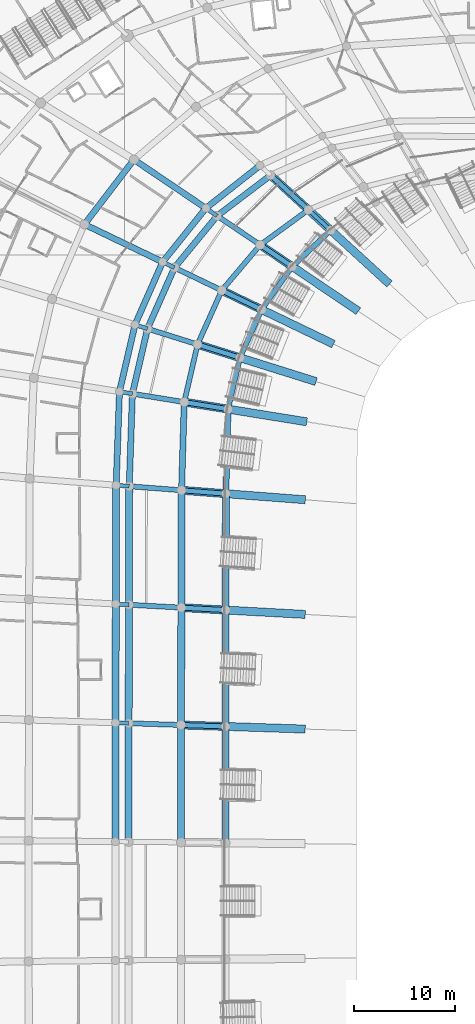
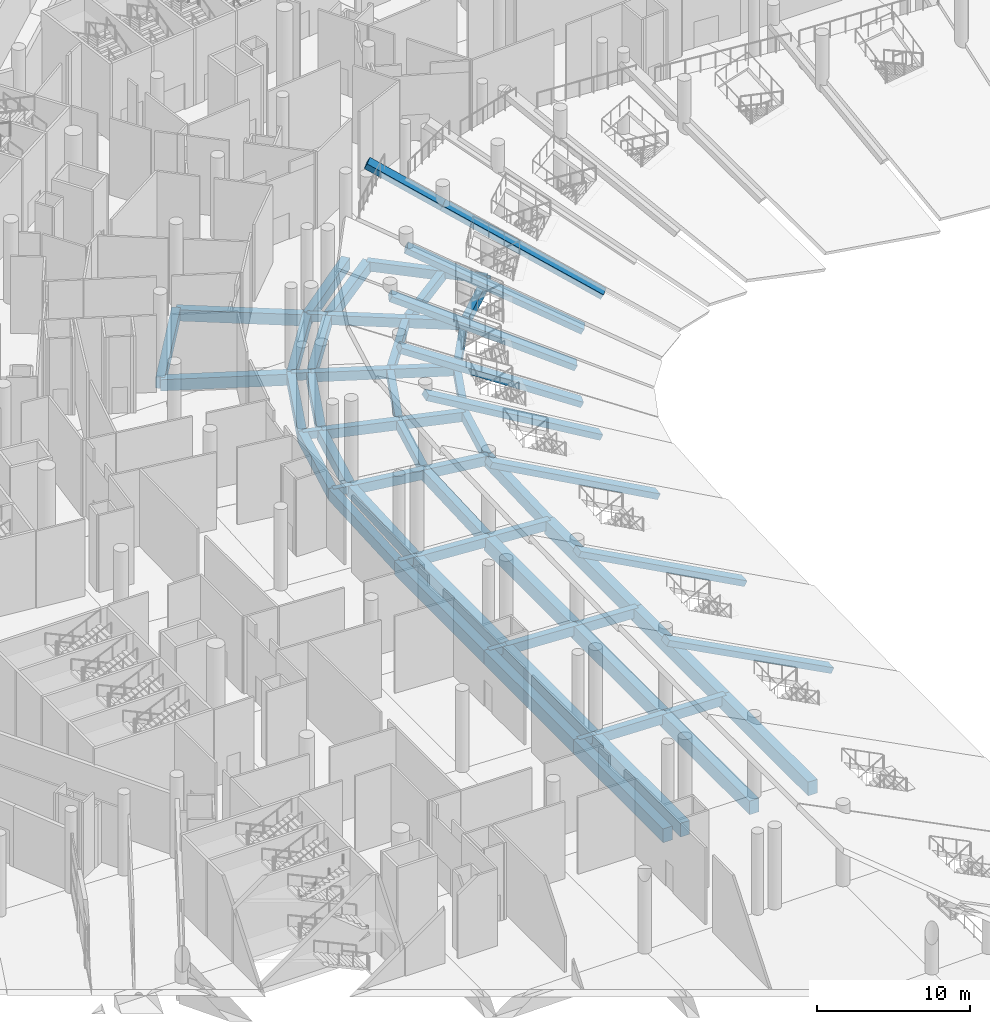
# One storey, part 47 of 255: 67 beams.
"""IFC4 building model written with IfcOpenShell, lengths in metres."""

from ifc_helpers import new_model, si_unit, direction, frame, origin, origin_2d, place, context, subcontext, project, spatial, rectangle, extrude, material, material_profile, profile_set, type_object, element, save


model = new_model("IFC4")

# Units and contexts
model_context = context("Model", 3, precision=1e-05, world=origin(), true_north=direction((0.0, 1.0)))
body_context = subcontext(model_context, "Body", "Model", "MODEL_VIEW")
ifc_project = project(units=[si_unit("LENGTHUNIT", "METRE"), si_unit("AREAUNIT", "SQUARE_METRE"), si_unit("VOLUMEUNIT", "CUBIC_METRE"), si_unit("PLANEANGLEUNIT", "RADIAN"), si_unit("MASSUNIT", "GRAM", prefix="KILO")], contexts=[model_context])

# Site, building, storey
site_placement = place(None, origin())
site = spatial("IfcSite", under=ifc_project, at=site_placement, CompositionType="ELEMENT")
building_placement = place(site_placement, origin())
building = spatial("IfcBuilding", under=site, at=building_placement, Name="Meseta Stadium", CompositionType="ELEMENT")
storey_placement = place(building_placement, origin())
storey = spatial("IfcBuildingStorey", under=building, at=storey_placement, Name="L00", CompositionType="ELEMENT", Elevation=0.0)

# Beams
ifc_material_1 = material(Name="Concrete C40/50", Category="concrete")
ifc_material_profile_1 = material_profile(ifc_material_1, rectangle(XDim=0.39990234375, YDim=0.60009765625, at=origin_2d()), Name="RC 400x600")
ifc_profile_set_1 = profile_set([ifc_material_profile_1], Name="Concrete C40/50")
beam_type_1 = type_object("IfcBeamType", Name="RC beam 400x600", PredefinedType="BEAM", material=ifc_profile_set_1)
beam_1_placement = place(storey_placement, frame((-43.5693359375, 66.478759765625, -0.699951171875), z_axis=(-0.737617825798, 0.675218440999, 0.0), x_axis=(-0.675218440999, -0.737617825798, 0.0)))
element("IfcBeam", 1, at=beam_1_placement, inside=storey, type_object=beam_type_1, Name="L00 radial beam frame 24 line B to U", PredefinedType="BEAM", context=body_context, shape_type="SweptSolid", body=[
    extrude(rectangle(XDim=0.39990234375, YDim=0.60009765625, at=origin_2d()), origin(), (0.0, 0.0, 1.0), 2.9931640625),
])
beam_2_placement = place(storey_placement, frame((-54.819580078125, 67.901611328125, -0.699951171875), z_axis=(-0.828785870945, 0.559565885416, 0.0), x_axis=(-0.559565885416, -0.828785870945, 0.0)))
element("IfcBeam", 2, at=beam_2_placement, inside=storey, type_object=beam_type_1, Name="L00 radial beam frame 25 line C to D", PredefinedType="BEAM", context=body_context, shape_type="SweptSolid", body=[
    extrude(rectangle(XDim=0.39990234375, YDim=0.60009765625, at=origin_2d()), origin(), (0.0, 0.0, 1.0), 1.35205078125),
])
beam_3_placement = place(storey_placement, frame((-59.049072265625, 62.766357421875, -0.699951171875), z_axis=(-0.901186215953, 0.433432121762, 0.0), x_axis=(-0.433432121762, -0.901186215953, 0.0)))
element("IfcBeam", 3, at=beam_3_placement, inside=storey, type_object=beam_type_1, Name="L00 radial beam frame 26 line C to D", PredefinedType="BEAM", context=body_context, shape_type="SweptSolid", body=[
    extrude(rectangle(XDim=0.39990234375, YDim=0.60009765625, at=origin_2d()), origin(), (0.0, 0.0, 1.0), 1.3017578125),
])
for number, where, z_axis, x_axis, name in (
    (4, (-61.72314453125, 56.715576171875, -0.699951171875), (-0.954202212312, 0.299162394059, 0.0), (-0.299162394059, -0.954202212312, 0.0), "L00 radial beam frame 27 line C to D"),
    (5, (-63.21826171875, 50.27294921875, -0.699951171875), (-0.98726777227, 0.159067111111, 0.0), (-0.159067111111, -0.98726777227, 0.0), "L00 radial beam frame 28 line C to D"),
    (6, (-63.53369140625, 41.1044921875, -0.699951171875), (-0.99706000661, 0.076624690657, 0.0), (-0.076624690657, -0.99706000661, 0.0), "L00 radial beam frame 29 line C to D"),
    (7, (-63.566162109375, 29.3623046875, -0.699951171875), (-0.998505663725, 0.054648325775, 0.0), (-0.054648325775, -0.998505663725, 0.0), "L00 radial beam frame 30 line C to D"),
    (8, (-63.587890625, 17.617919921875, -0.699951171875), (-0.99945362659, 0.033052205614, 0.0), (-0.033052205614, -0.99945362659, 0.0), "L00 radial beam frame 31 line C to D"),
):
    element("IfcBeam", number, at=place(storey_placement, frame(where, z_axis=z_axis, x_axis=x_axis)), inside=storey, type_object=beam_type_1, Name=name, PredefinedType="BEAM", context=body_context, shape_type="SweptSolid", body=[
        extrude(rectangle(XDim=0.39990234375, YDim=0.60009765625, at=origin_2d()), origin(), (0.0, 0.0, 1.0), 1.300048828125),
    ])
ifc_material_2 = material(Name="Concrete C40/50", Category="concrete")
ifc_material_profile_2 = material_profile(ifc_material_2, rectangle(XDim=0.5, YDim=0.75, at=origin_2d()), Name="RC 500x750")
ifc_profile_set_2 = profile_set([ifc_material_profile_2], Name="Concrete C40/50")
beam_type_2 = type_object("IfcBeamType", Name="RC beam 500x750", PredefinedType="BEAM", material=ifc_profile_set_2)
beam_4_placement = place(storey_placement, frame((-43.5693359375, 66.478759765625, -0.77490234375), z_axis=(-0.727165536256, -0.686462149635, 0.0), x_axis=(0.686462149635, -0.727165536256, 0.0)))
element("IfcBeam", 9, at=beam_4_placement, inside=storey, type_object=beam_type_2, Name="L00 ring beam frame 24 line B", PredefinedType="BEAM", context=body_context, shape_type="SweptSolid", body=[
    extrude(rectangle(XDim=0.5, YDim=0.75, at=origin_2d()), origin(), (0.0, 0.0, 1.0), 5.2421875),
])
beam_5_placement = place(storey_placement, frame((-45.777099609375, 68.499755859375, -0.77490234375), z_axis=(-0.808321333324, -0.58874155798, 0.0), x_axis=(0.58874155798, -0.808321333324, 0.0)))
element("IfcBeam", 10, at=beam_5_placement, inside=storey, type_object=beam_type_2, Name="L00 ring beam frame 24 line U", PredefinedType="BEAM", context=body_context, shape_type="SweptSolid", body=[
    extrude(rectangle(XDim=0.5, YDim=0.75, at=origin_2d()), origin(), (0.0, 0.0, 1.0), 5.908447265625),
])
beam_6_placement = place(storey_placement, frame((-47.38134765625, 62.880126953125, -0.77490234375), z_axis=(-0.579777051217, -0.814775165848, 0.0), x_axis=(0.814775165848, -0.579777051217, 0.0)))
element("IfcBeam", 11, at=beam_6_placement, inside=storey, type_object=beam_type_2, Name="L00 ring beam frame 25 line B", PredefinedType="BEAM", context=body_context, shape_type="SweptSolid", body=[
    extrude(rectangle(XDim=0.5, YDim=0.75, at=origin_2d()), origin(), (0.0, 0.0, 1.0), 5.235107421875),
])
beam_7_placement = place(storey_placement, frame((-50.552978515625, 65.021240234375, -0.77490234375), z_axis=(-0.645643699587, -0.76363879759, 0.0), x_axis=(0.76363879759, -0.645643699587, 0.0)))
element("IfcBeam", 12, at=beam_7_placement, inside=storey, type_object=beam_type_2, Name="L00 ring beam frame 25 line U", PredefinedType="BEAM", context=body_context, shape_type="SweptSolid", body=[
    extrude(rectangle(XDim=0.5, YDim=0.75, at=origin_2d()), origin(), (0.0, 0.0, 1.0), 5.903076171875),
])
beam_8_placement = place(storey_placement, frame((-50.41650390625, 58.61474609375, -0.77490234375), z_axis=(-0.410234670031, -0.911979997316, 0.0), x_axis=(0.911979997316, -0.410234670031, 0.0)))
element("IfcBeam", 13, at=beam_8_placement, inside=storey, type_object=beam_type_2, Name="L00 ring beam frame 26 line B", PredefinedType="BEAM", context=body_context, shape_type="SweptSolid", body=[
    extrude(rectangle(XDim=0.5, YDim=0.75, at=origin_2d()), origin(), (0.0, 0.0, 1.0), 5.231689453125),
])
beam_9_placement = place(storey_placement, frame((-54.3642578125, 60.513427734375, -0.77490234375), z_axis=(-0.408647140916, -0.912692453251, 0.0), x_axis=(0.912692453251, -0.408647140916, 0.0)))
element("IfcBeam", 14, at=beam_9_placement, inside=storey, type_object=beam_type_2, Name="L00 ring beam frame 26 line U", PredefinedType="BEAM", context=body_context, shape_type="SweptSolid", body=[
    extrude(rectangle(XDim=0.5, YDim=0.75, at=origin_2d()), origin(), (0.0, 0.0, 1.0), 5.86572265625),
])
beam_10_placement = place(storey_placement, frame((-52.562744140625, 53.843505859375, -0.77490234375), z_axis=(-0.225091279116, -0.974337680718, 0.0), x_axis=(0.974337680718, -0.225091279116, 0.0)))
element("IfcBeam", 15, at=beam_10_placement, inside=storey, type_object=beam_type_2, Name="L00 ring beam frame 27 line B", PredefinedType="BEAM", context=body_context, shape_type="SweptSolid", body=[
    extrude(rectangle(XDim=0.5, YDim=0.75, at=origin_2d()), origin(), (0.0, 0.0, 1.0), 5.231201171875),
])
beam_11_placement = place(storey_placement, frame((-56.76123046875, 55.159912109375, -0.77490234375), z_axis=(-0.225583026399, -0.974223946637, 0.0), x_axis=(0.974223946637, -0.225583026399, 0.0)))
element("IfcBeam", 16, at=beam_11_placement, inside=storey, type_object=beam_type_2, Name="L00 ring beam frame 27 line U", PredefinedType="BEAM", context=body_context, shape_type="SweptSolid", body=[
    extrude(rectangle(XDim=0.5, YDim=0.75, at=origin_2d()), origin(), (0.0, 0.0, 1.0), 5.86474609375),
])
beam_12_placement = place(storey_placement, frame((-45.777099609375, 68.499755859375, -0.77490234375), z_axis=(-0.737609522661, 0.675227511347, 0.0), x_axis=(-0.675227511347, -0.737609522661, 0.0)))
element("IfcBeam", 17, at=beam_12_placement, inside=storey, type_object=beam_type_2, Name="L00 radial beam frame 24 line U to C", PredefinedType="BEAM", context=body_context, shape_type="SweptSolid", body=[
    extrude(rectangle(XDim=0.5, YDim=0.75, at=origin_2d()), origin(), (0.0, 0.0, 1.0), 5.072021484375),
])
beam_13_placement = place(storey_placement, frame((-47.38134765625, 62.880126953125, -0.77490234375), z_axis=(-0.828816868957, 0.559519970807, 0.0), x_axis=(-0.559519970807, -0.828816868957, 0.0)))
element("IfcBeam", 18, at=beam_13_placement, inside=storey, type_object=beam_type_2, Name="L00 radial beam frame 25 line B to U", PredefinedType="BEAM", context=body_context, shape_type="SweptSolid", body=[
    extrude(rectangle(XDim=0.5, YDim=0.75, at=origin_2d()), origin(), (0.0, 0.0, 1.0), 3.82666015625),
])
beam_14_placement = place(storey_placement, frame((-50.552978515625, 65.021240234375, -0.77490234375), z_axis=(-0.828811285553, 0.559528241414, 0.0), x_axis=(-0.559528241414, -0.828811285553, 0.0)))
element("IfcBeam", 19, at=beam_14_placement, inside=storey, type_object=beam_type_2, Name="L00 radial beam frame 25 line U to C", PredefinedType="BEAM", context=body_context, shape_type="SweptSolid", body=[
    extrude(rectangle(XDim=0.5, YDim=0.75, at=origin_2d()), origin(), (0.0, 0.0, 1.0), 5.14794921875),
])
beam_15_placement = place(storey_placement, frame((-50.41650390625, 58.61474609375, -0.77490234375), z_axis=(-0.901187960195, 0.433428495141, 0.0), x_axis=(-0.433428495141, -0.901187960195, 0.0)))
element("IfcBeam", 20, at=beam_15_placement, inside=storey, type_object=beam_type_2, Name="L00 radial beam frame 26 line B to U", PredefinedType="BEAM", context=body_context, shape_type="SweptSolid", body=[
    extrude(rectangle(XDim=0.5, YDim=0.75, at=origin_2d()), origin(), (0.0, 0.0, 1.0), 4.380615234375),
])
beam_16_placement = place(storey_placement, frame((-54.3642578125, 60.513427734375, -0.77490234375), z_axis=(-0.90120621649, 0.433390534461, 0.0), x_axis=(-0.433390534461, -0.90120621649, 0.0)))
element("IfcBeam", 21, at=beam_16_placement, inside=storey, type_object=beam_type_2, Name="L00 radial beam frame 26 line U to C", PredefinedType="BEAM", context=body_context, shape_type="SweptSolid", body=[
    extrude(rectangle(XDim=0.5, YDim=0.75, at=origin_2d()), origin(), (0.0, 0.0, 1.0), 5.198486328125),
])
beam_17_placement = place(storey_placement, frame((-52.562744140625, 53.843505859375, -0.77490234375), z_axis=(-0.954196192549, 0.299181593896, 0.0), x_axis=(-0.299181593896, -0.954196192549, 0.0)))
element("IfcBeam", 22, at=beam_17_placement, inside=storey, type_object=beam_type_2, Name="L00 radial beam frame 27 line B to U", PredefinedType="BEAM", context=body_context, shape_type="SweptSolid", body=[
    extrude(rectangle(XDim=0.5, YDim=0.75, at=origin_2d()), origin(), (0.0, 0.0, 1.0), 4.39990234375),
])
beam_18_placement = place(storey_placement, frame((-56.76123046875, 55.159912109375, -0.77490234375), z_axis=(-0.954202212312, 0.299162394059, 0.0), x_axis=(-0.299162394059, -0.954202212312, 0.0)))
element("IfcBeam", 23, at=beam_18_placement, inside=storey, type_object=beam_type_2, Name="L00 radial beam frame 27 line U to C", PredefinedType="BEAM", context=body_context, shape_type="SweptSolid", body=[
    extrude(rectangle(XDim=0.5, YDim=0.75, at=origin_2d()), origin(), (0.0, 0.0, 1.0), 5.199951171875),
])
beam_19_placement = place(storey_placement, frame((-53.740234375, 48.74658203125, -0.77490234375), z_axis=(-0.98727458223, 0.15902483857, 0.0), x_axis=(-0.15902483857, -0.98727458223, 0.0)))
element("IfcBeam", 24, at=beam_19_placement, inside=storey, type_object=beam_type_2, Name="L00 radial beam frame 28 line B to U", PredefinedType="BEAM", context=body_context, shape_type="SweptSolid", body=[
    extrude(rectangle(XDim=0.5, YDim=0.75, at=origin_2d()), origin(), (0.0, 0.0, 1.0), 4.39990234375),
])
beam_20_placement = place(storey_placement, frame((-58.084228515625, 49.4462890625, -0.77490234375), z_axis=(-0.98728370104, 0.158968215879, 0.0), x_axis=(-0.158968215879, -0.98728370104, 0.0)))
element("IfcBeam", 25, at=beam_20_placement, inside=storey, type_object=beam_type_2, Name="L00 radial beam frame 28 line U to C", PredefinedType="BEAM", context=body_context, shape_type="SweptSolid", body=[
    extrude(rectangle(XDim=0.5, YDim=0.75, at=origin_2d()), origin(), (0.0, 0.0, 1.0), 5.2001953125),
])
beam_21_placement = place(storey_placement, frame((-53.9619140625, 40.369873046875, -0.77490234375), z_axis=(-0.997068503293, 0.076514049307, 0.0), x_axis=(-0.076514049307, -0.997068503293, 0.0)))
element("IfcBeam", 26, at=beam_21_placement, inside=storey, type_object=beam_type_2, Name="L00 radial beam frame 29 line B to U", PredefinedType="BEAM", context=body_context, shape_type="SweptSolid", body=[
    extrude(rectangle(XDim=0.5, YDim=0.75, at=origin_2d()), origin(), (0.0, 0.0, 1.0), 4.400146484375),
])
beam_22_placement = place(storey_placement, frame((-58.34912109375, 40.70654296875, -0.77490234375), z_axis=(-0.997067176411, 0.076531338178, 0.0), x_axis=(-0.076531338178, -0.997067176411, 0.0)))
element("IfcBeam", 27, at=beam_22_placement, inside=storey, type_object=beam_type_2, Name="L00 radial beam frame 29 line U to C", PredefinedType="BEAM", context=body_context, shape_type="SweptSolid", body=[
    extrude(rectangle(XDim=0.5, YDim=0.75, at=origin_2d()), origin(), (0.0, 0.0, 1.0), 5.19970703125),
])
beam_23_placement = place(storey_placement, frame((-53.98046875, 28.836669921875, -0.77490234375), z_axis=(-0.998502235363, 0.05471093104, 0.0), x_axis=(-0.05471093104, -0.998502235363, 0.0)))
element("IfcBeam", 28, at=beam_23_placement, inside=storey, type_object=beam_type_2, Name="L00 radial beam frame 30 line B to U", PredefinedType="BEAM", context=body_context, shape_type="SweptSolid", body=[
    extrude(rectangle(XDim=0.5, YDim=0.75, at=origin_2d()), origin(), (0.0, 0.0, 1.0), 4.39990234375),
])
beam_24_placement = place(storey_placement, frame((-58.373779296875, 29.077392578125, -0.77490234375), z_axis=(-0.998497968402, 0.054788749724, 0.0), x_axis=(-0.054788749724, -0.998497968402, 0.0)))
element("IfcBeam", 29, at=beam_24_placement, inside=storey, type_object=beam_type_2, Name="L00 radial beam frame 30 line U to C", PredefinedType="BEAM", context=body_context, shape_type="SweptSolid", body=[
    extrude(rectangle(XDim=0.5, YDim=0.75, at=origin_2d()), origin(), (0.0, 0.0, 1.0), 5.2001953125),
])
beam_25_placement = place(storey_placement, frame((-53.992919921875, 17.302490234375, -0.77490234375), z_axis=(-0.999460377963, 0.032847418184, 0.0), x_axis=(-0.032847418184, -0.999460377963, 0.0)))
element("IfcBeam", 30, at=beam_25_placement, inside=storey, type_object=beam_type_2, Name="L00 radial beam frame 31 line B to U", PredefinedType="BEAM", context=body_context, shape_type="SweptSolid", body=[
    extrude(rectangle(XDim=0.5, YDim=0.75, at=origin_2d()), origin(), (0.0, 0.0, 1.0), 4.400146484375),
])
beam_26_placement = place(storey_placement, frame((-58.390625, 17.447021484375, -0.77490234375), z_axis=(-0.999459812725, 0.032864612406, 0.0), x_axis=(-0.032864612406, -0.999459812725, 0.0)))
element("IfcBeam", 31, at=beam_26_placement, inside=storey, type_object=beam_type_2, Name="L00 radial beam frame 31 line U to C", PredefinedType="BEAM", context=body_context, shape_type="SweptSolid", body=[
    extrude(rectangle(XDim=0.5, YDim=0.75, at=origin_2d()), origin(), (0.0, 0.0, 1.0), 5.2001953125),
])
ifc_material_3 = material(Name="Concrete C40/50", Category="concrete")
ifc_material_profile_3 = material_profile(ifc_material_3, rectangle(XDim=0.60009765625, YDim=0.89990234375, at=origin_2d()), Name="RC 600x900")
ifc_profile_set_3 = profile_set([ifc_material_profile_3], Name="Concrete C40/50")
beam_type_3 = type_object("IfcBeamType", Name="RC beam 600x900", PredefinedType="BEAM", material=ifc_profile_set_3)
beam_27_placement = place(storey_placement, frame((-49.518310546875, 71.924560546875, -0.85009765625), z_axis=(-0.796597456173, -0.604510126316, 0.0), x_axis=(0.604510126316, -0.796597456173, 0.0)))
element("IfcBeam", 32, at=beam_27_placement, inside=storey, type_object=beam_type_3, Name="L00 ring beam frame 24 line C", PredefinedType="BEAM", context=body_context, shape_type="SweptSolid", body=[
    extrude(rectangle(XDim=0.60009765625, YDim=0.89990234375, at=origin_2d()), origin(), (0.0, 0.0, 1.0), 6.65478515625),
])
beam_28_placement = place(storey_placement, frame((-50.571533203125, 72.888916015625, -0.85009765625), z_axis=(-0.785430108596, -0.618950357065, 0.0), x_axis=(0.618950357065, -0.785430108596, 0.0)))
element("IfcBeam", 33, at=beam_28_placement, inside=storey, type_object=beam_type_3, Name="L00 ring beam frame 24 line D", PredefinedType="BEAM", context=body_context, shape_type="SweptSolid", body=[
    extrude(rectangle(XDim=0.60009765625, YDim=0.89990234375, at=origin_2d()), origin(), (0.0, 0.0, 1.0), 6.835205078125),
])
beam_29_placement = place(storey_placement, frame((-54.819580078125, 67.901611328125, -0.85009765625), z_axis=(-0.635748413749, -0.771896336573, 0.0), x_axis=(0.771896336573, -0.635748413749, 0.0)))
element("IfcBeam", 34, at=beam_29_placement, inside=storey, type_object=beam_type_3, Name="L00 ring beam frame 25 line C", PredefinedType="BEAM", context=body_context, shape_type="SweptSolid", body=[
    extrude(rectangle(XDim=0.60009765625, YDim=0.89990234375, at=origin_2d()), origin(), (0.0, 0.0, 1.0), 6.65283203125),
])
beam_30_placement = place(storey_placement, frame((-55.940185546875, 68.658203125, -0.85009765625), z_axis=(-0.626466293445, -0.779448512204, 0.0), x_axis=(0.779448512204, -0.626466293445, 0.0)))
element("IfcBeam", 35, at=beam_30_placement, inside=storey, type_object=beam_type_3, Name="L00 ring beam frame 25 line D", PredefinedType="BEAM", context=body_context, shape_type="SweptSolid", body=[
    extrude(rectangle(XDim=0.60009765625, YDim=0.89990234375, at=origin_2d()), origin(), (0.0, 0.0, 1.0), 6.835205078125),
])
beam_31_placement = place(storey_placement, frame((-63.068115234375, 73.469970703125, -0.85009765625), z_axis=(-0.607521948786, -0.794302890428, 0.0), x_axis=(0.794302890428, -0.607521948786, 0.0)))
element("IfcBeam", 36, at=beam_31_placement, inside=storey, type_object=beam_type_3, Name="L00 ring beam frame 25 line E", PredefinedType="BEAM", context=body_context, shape_type="SweptSolid", body=[
    extrude(rectangle(XDim=0.60009765625, YDim=0.89990234375, at=origin_2d()), origin(), (0.0, 0.0, 1.0), 8.072509765625),
])
beam_32_placement = place(storey_placement, frame((-59.049072265625, 62.766357421875, -0.85009765625), z_axis=(-0.404223446973, -0.914660267486, 0.0), x_axis=(0.914660267486, -0.404223446973, 0.0)))
element("IfcBeam", 37, at=beam_32_placement, inside=storey, type_object=beam_type_3, Name="L00 ring beam frame 26 line C", PredefinedType="BEAM", context=body_context, shape_type="SweptSolid", body=[
    extrude(rectangle(XDim=0.60009765625, YDim=0.89990234375, at=origin_2d()), origin(), (0.0, 0.0, 1.0), 6.615234375),
])
beam_33_placement = place(storey_placement, frame((-60.22216796875, 63.33056640625, -0.85009765625), z_axis=(-0.402982741988, -0.915207577361, 0.0), x_axis=(0.915207577361, -0.402982741988, 0.0)))
element("IfcBeam", 38, at=beam_33_placement, inside=storey, type_object=beam_type_3, Name="L00 ring beam frame 26 line D", PredefinedType="BEAM", context=body_context, shape_type="SweptSolid", body=[
    extrude(rectangle(XDim=0.60009765625, YDim=0.89990234375, at=origin_2d()), origin(), (0.0, 0.0, 1.0), 6.802978515625),
])
beam_34_placement = place(storey_placement, frame((-61.72314453125, 56.715576171875, -0.85009765625), z_axis=(-0.226059029022, -0.974113604975, 0.0), x_axis=(0.974113604975, -0.226059029022, 0.0)))
element("IfcBeam", 39, at=beam_34_placement, inside=storey, type_object=beam_type_3, Name="L00 ring beam frame 27 line C", PredefinedType="BEAM", context=body_context, shape_type="SweptSolid", body=[
    extrude(rectangle(XDim=0.60009765625, YDim=0.89990234375, at=origin_2d()), origin(), (0.0, 0.0, 1.0), 6.61376953125),
])
beam_35_placement = place(storey_placement, frame((-62.963623046875, 57.1044921875, -0.85009765625), z_axis=(-0.226157078617, -0.974090845759, 0.0), x_axis=(0.974090845759, -0.226157078617, 0.0)))
element("IfcBeam", 40, at=beam_35_placement, inside=storey, type_object=beam_type_3, Name="L00 ring beam frame 27 line D", PredefinedType="BEAM", context=body_context, shape_type="SweptSolid", body=[
    extrude(rectangle(XDim=0.60009765625, YDim=0.89990234375, at=origin_2d()), origin(), (0.0, 0.0, 1.0), 6.801025390625),
])
beam_36_placement = place(storey_placement, frame((-53.740234375, 48.74658203125, -0.85009765625), z_axis=(-0.026454554384, -0.999650017032, 0.0), x_axis=(0.999650017032, -0.026454554384, 0.0)))
element("IfcBeam", 41, at=beam_36_placement, inside=storey, type_object=beam_type_3, Name="L00 ring beam frame 28 line B", PredefinedType="BEAM", context=body_context, shape_type="SweptSolid", body=[
    extrude(rectangle(XDim=0.60009765625, YDim=0.89990234375, at=origin_2d()), origin(), (0.0, 0.0, 1.0), 8.379638671875),
])
beam_37_placement = place(storey_placement, frame((-58.084228515625, 49.4462890625, -0.85009765625), z_axis=(-0.030295043991, -0.999540999814, 0.0), x_axis=(0.999540999814, -0.030295043991, 0.0)))
element("IfcBeam", 42, at=beam_37_placement, inside=storey, type_object=beam_type_3, Name="L00 ring beam frame 28 line U", PredefinedType="BEAM", context=body_context, shape_type="SweptSolid", body=[
    extrude(rectangle(XDim=0.60009765625, YDim=0.89990234375, at=origin_2d()), origin(), (0.0, 0.0, 1.0), 8.74365234375),
])
beam_38_placement = place(storey_placement, frame((-63.21826171875, 50.27294921875, -0.85009765625), z_axis=(-0.034383449406, -0.999408714394, 0.0), x_axis=(0.999408714394, -0.034383449406, 0.0)))
element("IfcBeam", 43, at=beam_38_placement, inside=storey, type_object=beam_type_3, Name="L00 ring beam frame 28 line C", PredefinedType="BEAM", context=body_context, shape_type="SweptSolid", body=[
    extrude(rectangle(XDim=0.60009765625, YDim=0.89990234375, at=origin_2d()), origin(), (0.0, 0.0, 1.0), 9.173828125),
])
beam_39_placement = place(storey_placement, frame((-64.501708984375, 50.479736328125, -0.85009765625), z_axis=(-0.035352824386, -0.999374893525, 0.0), x_axis=(0.999374893525, -0.035352824386, 0.0)))
element("IfcBeam", 44, at=beam_39_placement, inside=storey, type_object=beam_type_3, Name="L00 ring beam frame 28 line D", PredefinedType="BEAM", context=body_context, shape_type="SweptSolid", body=[
    extrude(rectangle(XDim=0.60009765625, YDim=0.89990234375, at=origin_2d()), origin(), (0.0, 0.0, 1.0), 9.281494140625),
])
beam_40_placement = place(storey_placement, frame((-55.940185546875, 68.658203125, -0.85009765625), z_axis=(-0.828826294275, 0.559506008832, 0.0), x_axis=(-0.559506008832, -0.828826294275, 0.0)))
element("IfcBeam", 45, at=beam_40_placement, inside=storey, type_object=beam_type_3, Name="L00 radial beam frame 25 line D to E", PredefinedType="BEAM", context=body_context, shape_type="SweptSolid", body=[
    extrude(rectangle(XDim=0.60009765625, YDim=0.89990234375, at=origin_2d()), origin(), (0.0, 0.0, 1.0), 8.60009765625),
])
beam_41_placement = place(storey_placement, frame((-60.22216796875, 63.33056640625, -0.85009765625), z_axis=(-0.901197200503, 0.433409282094, 0.0), x_axis=(-0.433409282094, -0.901197200503, 0.0)))
element("IfcBeam", 46, at=beam_41_placement, inside=storey, type_object=beam_type_3, Name="L00 radial beam frame 26 line D to E", PredefinedType="BEAM", context=body_context, shape_type="SweptSolid", body=[
    extrude(rectangle(XDim=0.60009765625, YDim=0.89990234375, at=origin_2d()), origin(), (0.0, 0.0, 1.0), 8.599853515625),
])
ifc_material_4 = material(Name="Concrete C40/50", Category="concrete")
ifc_material_profile_4 = material_profile(ifc_material_4, rectangle(XDim=0.699951171875, YDim=1.10009765625, at=origin_2d()), Name="RC 700x1100")
ifc_profile_set_4 = profile_set([ifc_material_profile_4], Name="Concrete C40/50")
beam_type_4 = type_object("IfcBeamType", Name="RC beam 700x1100", PredefinedType="BEAM", material=ifc_profile_set_4)
beam_42_placement = place(storey_placement, frame((-53.9619140625, 40.369873046875, -0.949951171875), z_axis=(-0.001608804015, -0.999998705874, 0.0), x_axis=(0.999998705874, -0.001608804015, 0.0)))
element("IfcBeam", 47, at=beam_42_placement, inside=storey, type_object=beam_type_4, Name="L00 ring beam frame 29 line B", PredefinedType="BEAM", context=body_context, shape_type="SweptSolid", body=[
    extrude(rectangle(XDim=0.699951171875, YDim=1.10009765625, at=origin_2d()), origin(), (0.0, 0.0, 1.0), 11.533203125),
])
beam_43_placement = place(storey_placement, frame((-58.34912109375, 40.70654296875, -0.949951171875), z_axis=(-0.002120373962, -0.999997752005, 0.0), x_axis=(0.999997752005, -0.002120373962, 0.0)))
element("IfcBeam", 48, at=beam_43_placement, inside=storey, type_object=beam_type_4, Name="L00 ring beam frame 29 line U", PredefinedType="BEAM", context=body_context, shape_type="SweptSolid", body=[
    extrude(rectangle(XDim=0.699951171875, YDim=1.10009765625, at=origin_2d()), origin(), (0.0, 0.0, 1.0), 11.629150390625),
])
beam_44_placement = place(storey_placement, frame((-63.53369140625, 41.1044921875, -0.949951171875), z_axis=(-0.002765292155, -0.999996176572, 0.0), x_axis=(0.999996176572, -0.002765292155, 0.0)))
element("IfcBeam", 49, at=beam_44_placement, inside=storey, type_object=beam_type_4, Name="L00 ring beam frame 29 line C", PredefinedType="BEAM", context=body_context, shape_type="SweptSolid", body=[
    extrude(rectangle(XDim=0.699951171875, YDim=1.10009765625, at=origin_2d()), origin(), (0.0, 0.0, 1.0), 11.7421875),
])
beam_45_placement = place(storey_placement, frame((-64.829833984375, 41.2041015625, -0.949951171875), z_axis=(-0.002924509925, -0.999995723612, 0.0), x_axis=(0.999995723612, -0.002924509925, 0.0)))
element("IfcBeam", 50, at=beam_45_placement, inside=storey, type_object=beam_type_4, Name="L00 ring beam frame 29 line D", PredefinedType="BEAM", context=body_context, shape_type="SweptSolid", body=[
    extrude(rectangle(XDim=0.699951171875, YDim=1.10009765625, at=origin_2d()), origin(), (0.0, 0.0, 1.0), 11.770751953125),
])
beam_46_placement = place(storey_placement, frame((-53.98046875, 28.836669921875, -0.949951171875), z_axis=(-0.00107950153, -0.999999417338, 0.0), x_axis=(0.999999417338, -0.00107950153, 0.0)))
element("IfcBeam", 51, at=beam_46_placement, inside=storey, type_object=beam_type_4, Name="L00 ring beam frame 30 line B", PredefinedType="BEAM", context=body_context, shape_type="SweptSolid", body=[
    extrude(rectangle(XDim=0.699951171875, YDim=1.10009765625, at=origin_2d()), origin(), (0.0, 0.0, 1.0), 11.5341796875),
])
beam_47_placement = place(storey_placement, frame((-58.373779296875, 29.077392578125, -0.949951171875), z_axis=(-0.001448422008, -0.999998951036, 0.0), x_axis=(0.999998951036, -0.001448422008, 0.0)))
element("IfcBeam", 52, at=beam_47_placement, inside=storey, type_object=beam_type_4, Name="L00 ring beam frame 30 line U", PredefinedType="BEAM", context=body_context, shape_type="SweptSolid", body=[
    extrude(rectangle(XDim=0.699951171875, YDim=1.10009765625, at=origin_2d()), origin(), (0.0, 0.0, 1.0), 11.63037109375),
])
beam_48_placement = place(storey_placement, frame((-63.566162109375, 29.3623046875, -0.949951171875), z_axis=(-0.001850116364, -0.999998288533, 0.0), x_axis=(0.999998288533, -0.001850116364, 0.0)))
element("IfcBeam", 53, at=beam_48_placement, inside=storey, type_object=beam_type_4, Name="L00 ring beam frame 30 line C", PredefinedType="BEAM", context=body_context, shape_type="SweptSolid", body=[
    extrude(rectangle(XDim=0.699951171875, YDim=1.10009765625, at=origin_2d()), origin(), (0.0, 0.0, 1.0), 11.744384765625),
])
beam_49_placement = place(storey_placement, frame((-64.8642578125, 29.433349609375, -0.949951171875), z_axis=(-0.001949394886, -0.999998099928, 0.0), x_axis=(0.999998099928, -0.001949394886, 0.0)))
element("IfcBeam", 54, at=beam_49_placement, inside=storey, type_object=beam_type_4, Name="L00 ring beam frame 30 line D", PredefinedType="BEAM", context=body_context, shape_type="SweptSolid", body=[
    extrude(rectangle(XDim=0.699951171875, YDim=1.10009765625, at=origin_2d()), origin(), (0.0, 0.0, 1.0), 11.7724609375),
])
beam_50_placement = place(storey_placement, frame((-53.992919921875, 17.302490234375, -0.949951171875), z_axis=(-0.000550299407, -0.999999848585, 0.0), x_axis=(0.999999848585, -0.000550299407, 0.0)))
element("IfcBeam", 55, at=beam_50_placement, inside=storey, type_object=beam_type_4, Name="L00 ring beam frame 31 line B", PredefinedType="BEAM", context=body_context, shape_type="SweptSolid", body=[
    extrude(rectangle(XDim=0.699951171875, YDim=1.10009765625, at=origin_2d()), origin(), (0.0, 0.0, 1.0), 11.534912109375),
])
beam_51_placement = place(storey_placement, frame((-58.390625, 17.447021484375, -0.949951171875), z_axis=(-0.000713670816, -0.999999745337, 0.0), x_axis=(0.999999745337, -0.000713670816, 0.0)))
element("IfcBeam", 56, at=beam_51_placement, inside=storey, type_object=beam_type_4, Name="L00 ring beam frame 31 line U", PredefinedType="BEAM", context=body_context, shape_type="SweptSolid", body=[
    extrude(rectangle(XDim=0.699951171875, YDim=1.10009765625, at=origin_2d()), origin(), (0.0, 0.0, 1.0), 11.631103515625),
])
beam_52_placement = place(storey_placement, frame((-63.587890625, 17.617919921875, -0.949951171875), z_axis=(-0.000914608414, -0.999999581746, 0.0), x_axis=(0.999999581746, -0.000914608414, 0.0)))
element("IfcBeam", 57, at=beam_52_placement, inside=storey, type_object=beam_type_4, Name="L00 ring beam frame 31 line C", PredefinedType="BEAM", context=body_context, shape_type="SweptSolid", body=[
    extrude(rectangle(XDim=0.699951171875, YDim=1.10009765625, at=origin_2d()), origin(), (0.0, 0.0, 1.0), 11.7451171875),
])
beam_53_placement = place(storey_placement, frame((-64.88720703125, 17.660888671875, -0.949951171875), z_axis=(-0.000974577566, -0.999999525099, 0.0), x_axis=(0.999999525099, -0.000974577566, 0.0)))
element("IfcBeam", 58, at=beam_53_placement, inside=storey, type_object=beam_type_4, Name="L00 ring beam frame 31 line D", PredefinedType="BEAM", context=body_context, shape_type="SweptSolid", body=[
    extrude(rectangle(XDim=0.699951171875, YDim=1.10009765625, at=origin_2d()), origin(), (0.0, 0.0, 1.0), 11.77392578125),
])
ifc_material_5 = material(Name="Concrete C40/50", Category="concrete")
ifc_material_profile_5 = material_profile(ifc_material_5, rectangle(XDim=0.800048828125, YDim=0.449951171875, at=origin_2d()), Name="RC 800x450")
ifc_profile_set_5 = profile_set([ifc_material_profile_5], Name="Concrete C40/50")
beam_type_5 = type_object("IfcBeamType", Name="RC raker lower 800x450", PredefinedType="USERDEFINED", material=ifc_profile_set_5)
beam_54_placement = place(storey_placement, frame((-37.816162109375, 61.2119140625, -0.74169921875), z_axis=(-0.65744286386, 0.601856198758, 0.453362985671), x_axis=(-0.675236907747, -0.737600920834, 0.0)))
element("IfcBeam", 59, at=beam_54_placement, inside=storey, type_object=beam_type_5, Name="Raker lower frame 24 lower tier", ObjectType="RAKER", PredefinedType="USERDEFINED", context=body_context, shape_type="SweptSolid", body=[
    extrude(rectangle(XDim=0.800048828125, YDim=0.449951171875, at=origin_2d()), origin(), (0.0, 0.0, 1.0), 12.10888671875),
])
beam_55_placement = place(storey_placement, frame((-45.777099609375, 68.499755859375, 4.748046875), z_axis=(-0.657451593534, 0.601848796274, 0.453360153281), x_axis=(-0.675227511347, -0.737609522661, 0.0)))
element("IfcBeam", 60, at=beam_55_placement, inside=storey, type_object=beam_type_5, Name="Raker lower frame 24 lower tier", ObjectType="RAKER", PredefinedType="USERDEFINED", context=body_context, shape_type="SweptSolid", body=[
    extrude(rectangle(XDim=0.800048828125, YDim=0.449951171875, at=origin_2d()), origin(), (0.0, 0.0, 1.0), 5.6904296875),
])
beam_56_placement = place(storey_placement, frame((-40.91650390625, 58.51611328125, -0.803955078125), z_axis=(-0.738748342536, 0.498693967391, 0.453381972831), x_axis=(-0.559502787973, -0.828828468533, 0.0)))
element("IfcBeam", 61, at=beam_56_placement, inside=storey, type_object=beam_type_5, Name="Raker lower frame 25 lower tier", ObjectType="RAKER", PredefinedType="USERDEFINED", context=body_context, shape_type="SweptSolid", body=[
    extrude(rectangle(XDim=0.800048828125, YDim=0.449951171875, at=origin_2d()), origin(), (0.0, 0.0, 1.0), 13.04443359375),
])
beam_57_placement = place(storey_placement, frame((-43.38720703125, 55.234130859375, -0.869873046875), z_axis=(-0.803235737303, 0.386307761742, 0.453407833565), x_axis=(-0.433419038338, -0.901192508405, 0.0)))
element("IfcBeam", 62, at=beam_57_placement, inside=storey, type_object=beam_type_5, Name="Raker lower frame 26 lower tier", ObjectType="RAKER", PredefinedType="USERDEFINED", context=body_context, shape_type="SweptSolid", body=[
    extrude(rectangle(XDim=0.800048828125, YDim=0.449951171875, at=origin_2d()), origin(), (0.0, 0.0, 1.0), 13.666015625),
])
beam_58_placement = place(storey_placement, frame((-45.1201171875, 51.510009765625, -0.937744140625), z_axis=(-0.850481481105, 0.266656141574, 0.453404623331), x_axis=(-0.299175031257, -0.954198250194, 0.0)))
element("IfcBeam", 63, at=beam_58_placement, inside=storey, type_object=beam_type_5, Name="Raker lower frame 27 lower tier", ObjectType="RAKER", PredefinedType="USERDEFINED", context=body_context, shape_type="SweptSolid", body=[
    extrude(rectangle(XDim=0.800048828125, YDim=0.449951171875, at=origin_2d()), origin(), (0.0, 0.0, 1.0), 13.687744140625),
])
beam_59_placement = place(storey_placement, frame((-46.03955078125, 47.50634765625, -0.7998046875), z_axis=(-0.879658390455, 0.141679650766, 0.454013207584), x_axis=(-0.159012854331, -0.987276512512, 0.0)))
element("IfcBeam", 64, at=beam_59_placement, inside=storey, type_object=beam_type_5, Name="Raker lower frame 28 lower tier", ObjectType="RAKER", PredefinedType="USERDEFINED", context=body_context, shape_type="SweptSolid", body=[
    extrude(rectangle(XDim=0.800048828125, YDim=0.449951171875, at=origin_2d()), origin(), (0.0, 0.0, 1.0), 13.6923828125),
])
for number, where, z_axis, x_axis, name in (
    (65, (-46.184814453125, 39.77294921875, -0.805419921875), (-0.888233965299, 0.068170731225, 0.454305155478), (-0.076523575733, -0.997067772199, 0.0), "Raker lower frame 29 lower tier"),
    (66, (-46.192138671875, 28.40966796875, -0.867919921875), (-0.889508530141, 0.048757532266, 0.454309671759), (-0.054731851811, -0.998501088831, 0.0), "Raker lower frame 30 lower tier"),
    (67, (-46.197265625, 17.0458984375, -0.9306640625), (-0.890362604919, 0.029290120132, 0.454308838374), (-0.032879058379, -0.999459337602, 0.0), "Raker lower frame 31 lower tier"),
):
    element("IfcBeam", number, at=place(storey_placement, frame(where, z_axis=z_axis, x_axis=x_axis)), inside=storey, type_object=beam_type_5, Name=name, ObjectType="RAKER", PredefinedType="USERDEFINED", context=body_context, shape_type="SweptSolid", body=[
        extrude(rectangle(XDim=0.800048828125, YDim=0.449951171875, at=origin_2d()), origin(), (0.0, 0.0, 1.0), 13.69482421875),
    ])

save(model, "model.ifc")
